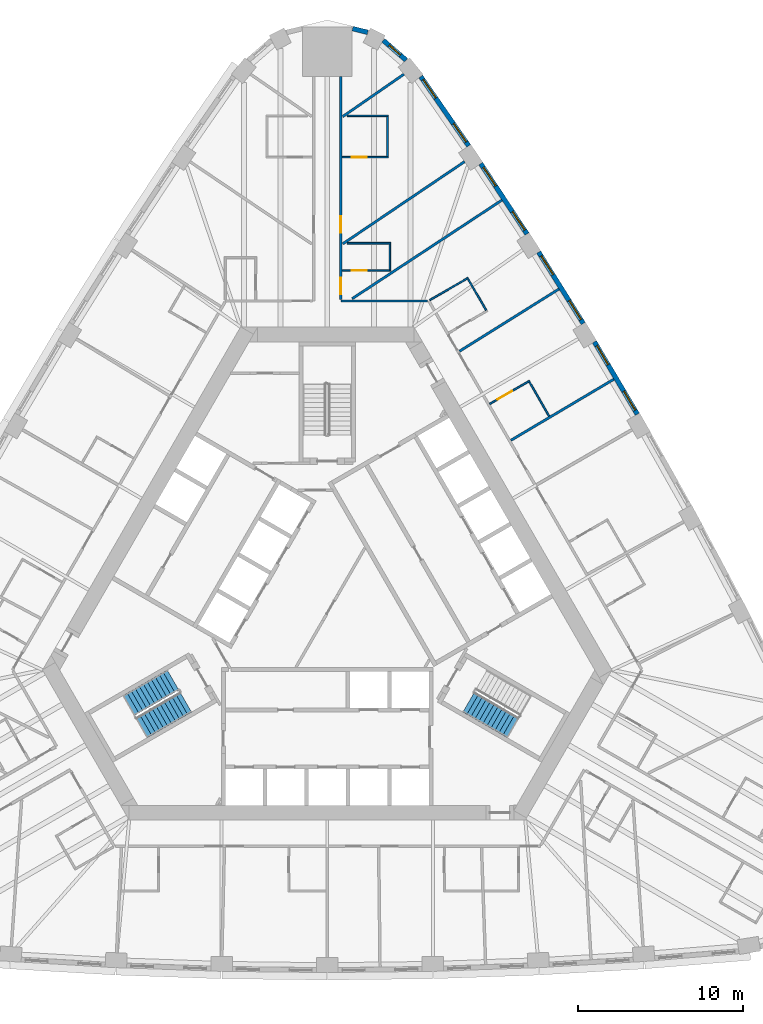
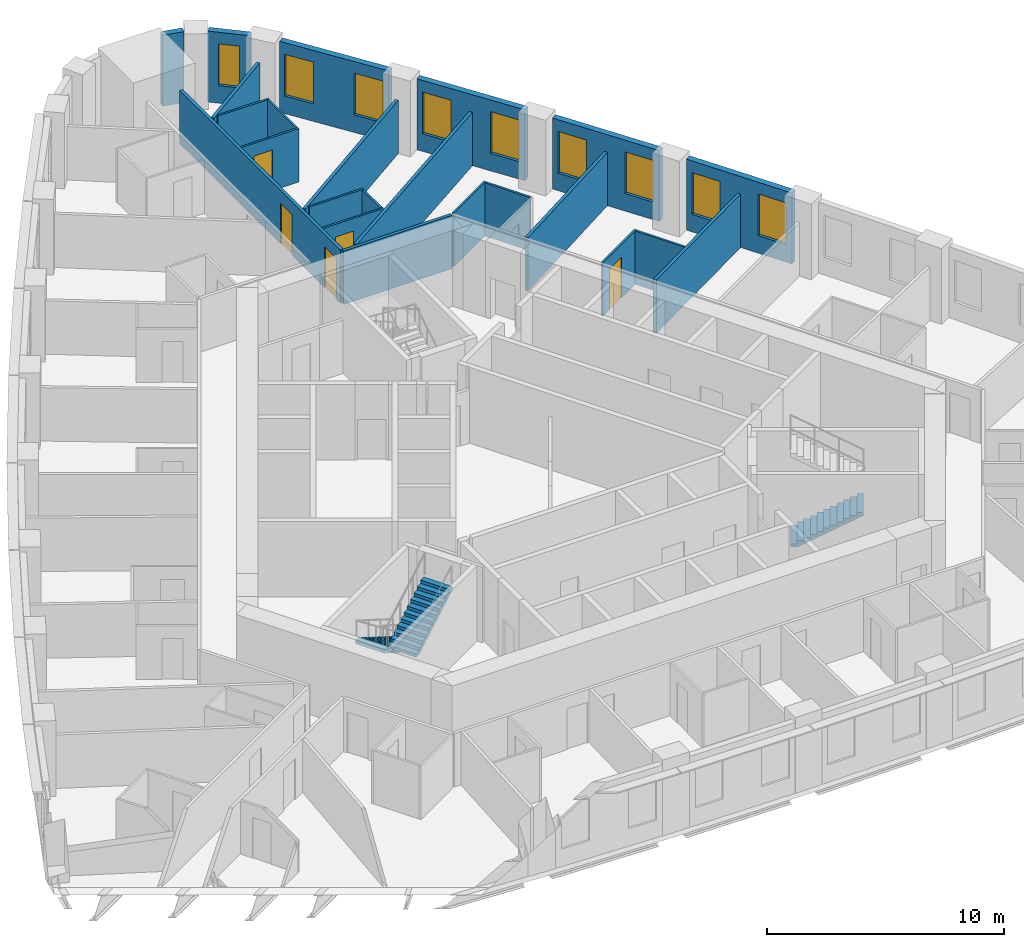
# One storey, part 11 of 13: 23 walls, 9 windows, 5 doors, 3 stair flights, 14 openings, 2 elements without a shape of their own.
"""IFC4 building model written with IfcOpenShell, lengths in metres."""

from ifc_helpers import new_model, si_unit, direction, frame, frame_2d, origin, place, context, subcontext, project, spatial, polyline, rectangle, outline, extrude, material, layer, layer_set, type_object, element, fill, aggregate, save


model = new_model("IFC4")

# Units and contexts
model_context = context("Model", 3, precision=1e-05, world=origin(), true_north=direction((0.0, 1.0)))
body_context = subcontext(model_context, "Body", "Model", "MODEL_VIEW")
ifc_project = project(units=[si_unit("LENGTHUNIT", "METRE"), si_unit("AREAUNIT", "SQUARE_METRE"), si_unit("VOLUMEUNIT", "CUBIC_METRE"), si_unit("PLANEANGLEUNIT", "RADIAN"), si_unit("MASSUNIT", "GRAM", prefix="KILO")], contexts=[model_context])

# Site, building, storey
site_placement = place(None, origin())
site = spatial("IfcSite", under=ifc_project, at=site_placement, CompositionType="ELEMENT")
building_placement = place(site_placement, origin())
building = spatial("IfcBuilding", under=site, at=building_placement, Name="Mestral Congress Tower", CompositionType="ELEMENT")
storey_placement = place(building_placement, frame((0.0, 0.0, 87.60009765625)))
storey = spatial("IfcBuildingStorey", under=building, at=storey_placement, Name="L20", CompositionType="ELEMENT", Elevation=87.60009765625)

# Wall, openings, windows
ifc_material_1 = material(Name="Precast concrete C40/50 with limestone facing", Category="masonry")
ifc_layer_1 = layer(ifc_material_1, 0.2900390625)
ifc_layer_set_1 = layer_set([ifc_layer_1], Name="Precast concrete C40/50 with limestone facing")
wall_type_1 = type_object("IfcWallType", Name="Facade stone wall 290", PredefinedType="SOLIDWALL", material=ifc_layer_set_1)
wall_1_placement = place(storey_placement, frame((18.8046875, 11.611083984375, 0.0), z_axis=(0.0, 0.0, 1.0), x_axis=(-0.510054281659, 0.860142214847, 0.0)))
wall_1 = element("IfcWall", 1, at=wall_1_placement, inside=storey, type_object=wall_type_1, Name="Facade wall F1-04", PredefinedType="SOLIDWALL", context=body_context, shape_type="SweptSolid", body=[
    extrude(rectangle(XDim=5.1005859375, YDim=0.2900390625, at=frame_2d((2.55029296875, 0.0))), origin(), (0.0, 0.0, 1.0), 3.64990234375),
])
opening_1_placement = place(wall_1_placement, frame((0.272705078125, 0.0, 0.89990234375)))
opening_1 = element("IfcOpeningElement", 2, at=opening_1_placement, cuts=wall_1, Name="Opening W2", PredefinedType="OPENING", context=body_context, shape_type="SweptSolid", body=[
    extrude(rectangle(XDim=1.35009765625, YDim=2.14990234375, at=frame_2d((0.675048828125, 1.074951171875))), frame((0.0, 0.155029296875, 0.0), z_axis=(0.0, -1.0, 0.0), x_axis=(1.0, 0.0, 0.0)), (0.0, 0.0, 1.0), 0.31005859375),
])
opening_2_placement = place(wall_1_placement, frame((3.477783203125, 0.0, 0.89990234375)))
opening_2 = element("IfcOpeningElement", 3, at=opening_2_placement, cuts=wall_1, Name="Opening W2", PredefinedType="OPENING", context=body_context, shape_type="SweptSolid", body=[
    extrude(rectangle(XDim=1.35009765625, YDim=2.14990234375, at=frame_2d((0.675048828125, 1.074951171875))), frame((0.0, 0.155029296875, 0.0), z_axis=(0.0, -1.0, 0.0), x_axis=(1.0, 0.0, 0.0)), (0.0, 0.0, 1.0), 0.31005859375),
])
ifc_material_2 = material(Name="Clear low-emissivity double glazing", Category="glass")
window_type_1 = type_object("IfcWindowType", Name="Facade punched window 1350 x 2150 sill 900", PartitioningType="DOUBLE_PANEL_VERTICAL", PredefinedType="WINDOW", material=ifc_material_2)
window_1_placement = place(opening_1_placement, origin())
window_1 = element("IfcWindow", 4, at=window_1_placement, inside=storey, type_object=window_type_1, Name="Window F1-04a", OverallHeight=2.14990234375, OverallWidth=1.35009765625, PartitioningType="DOUBLE_PANEL_VERTICAL", PredefinedType="WINDOW", context=body_context, shape_type="SweptSolid", body=[
    extrude(rectangle(XDim=1.35009765625, YDim=2.14990234375, at=frame_2d((0.675048828125, 1.074951171875))), frame((0.0, 0.01513671875, 0.0), z_axis=(0.0, -1.0, 0.0), x_axis=(1.0, 0.0, 0.0)), (0.0, 0.0, 1.0), 0.06005859375),
])
fill(opening_1, window_1)
window_2_placement = place(opening_2_placement, origin())
window_2 = element("IfcWindow", 5, at=window_2_placement, inside=storey, type_object=window_type_1, Name="Window F1-04b", OverallHeight=2.14990234375, OverallWidth=1.35009765625, PartitioningType="DOUBLE_PANEL_VERTICAL", PredefinedType="WINDOW", context=body_context, shape_type="SweptSolid", body=[
    extrude(rectangle(XDim=1.35009765625, YDim=2.14990234375, at=frame_2d((0.675048828125, 1.074951171875))), frame((0.0, 0.01513671875, 0.0), z_axis=(0.0, -1.0, 0.0), x_axis=(1.0, 0.0, 0.0)), (0.0, 0.0, 1.0), 0.06005859375),
])
fill(opening_2, window_2)

wall_2_placement = place(storey_placement, frame((15.523681640625, 17.114013671875, 0.0), z_axis=(0.0, 0.0, 1.0), x_axis=(-0.530072082134, 0.847952585787, 0.0)))
wall_2 = element("IfcWall", 6, at=wall_2_placement, inside=storey, type_object=wall_type_1, Name="Facade wall F1-05", PredefinedType="SOLIDWALL", context=body_context, shape_type="SweptSolid", body=[
    extrude(rectangle(XDim=5.100341796875, YDim=0.2900390625, at=frame_2d((2.55029296875, 0.0))), origin(), (0.0, 0.0, 1.0), 3.64990234375),
])
opening_3_placement = place(wall_2_placement, frame((0.272705078125, 0.0, 0.89990234375)))
opening_3 = element("IfcOpeningElement", 7, at=opening_3_placement, cuts=wall_2, Name="Opening W2", PredefinedType="OPENING", context=body_context, shape_type="SweptSolid", body=[
    extrude(rectangle(XDim=1.35009765625, YDim=2.14990234375, at=frame_2d((0.675048828125, 1.074951171875))), frame((0.0, 0.155029296875, 0.0), z_axis=(0.0, -1.0, 0.0), x_axis=(1.0, 0.0, 0.0)), (0.0, 0.0, 1.0), 0.31005859375),
])
opening_4_placement = place(wall_2_placement, frame((3.477783203125, 0.0, 0.89990234375)))
opening_4 = element("IfcOpeningElement", 8, at=opening_4_placement, cuts=wall_2, Name="Opening W2", PredefinedType="OPENING", context=body_context, shape_type="SweptSolid", body=[
    extrude(rectangle(XDim=1.35009765625, YDim=2.14990234375, at=frame_2d((0.675048828125, 1.074951171875))), frame((0.0, 0.155029296875, 0.0), z_axis=(0.0, -1.0, 0.0), x_axis=(1.0, 0.0, 0.0)), (0.0, 0.0, 1.0), 0.31005859375),
])
window_3_placement = place(opening_3_placement, origin())
window_3 = element("IfcWindow", 9, at=window_3_placement, inside=storey, type_object=window_type_1, Name="Window F1-05a", OverallHeight=2.14990234375, OverallWidth=1.35009765625, PartitioningType="DOUBLE_PANEL_VERTICAL", PredefinedType="WINDOW", context=body_context, shape_type="SweptSolid", body=[
    extrude(rectangle(XDim=1.35009765625, YDim=2.14990234375, at=frame_2d((0.675048828125, 1.074951171875))), frame((0.0, 0.01513671875, 0.0), z_axis=(0.0, -1.0, 0.0), x_axis=(1.0, 0.0, 0.0)), (0.0, 0.0, 1.0), 0.06005859375),
])
fill(opening_3, window_3)
window_4_placement = place(opening_4_placement, origin())
window_4 = element("IfcWindow", 10, at=window_4_placement, inside=storey, type_object=window_type_1, Name="Window F1-05b", OverallHeight=2.14990234375, OverallWidth=1.35009765625, PartitioningType="DOUBLE_PANEL_VERTICAL", PredefinedType="WINDOW", context=body_context, shape_type="SweptSolid", body=[
    extrude(rectangle(XDim=1.35009765625, YDim=2.14990234375, at=frame_2d((0.675048828125, 1.074951171875))), frame((0.0, 0.01513671875, 0.0), z_axis=(0.0, -1.0, 0.0), x_axis=(1.0, 0.0, 0.0)), (0.0, 0.0, 1.0), 0.06005859375),
])
fill(opening_4, window_4)

wall_3_placement = place(storey_placement, frame((12.114501953125, 22.538818359375, 0.0), z_axis=(0.0, 0.0, 1.0), x_axis=(-0.549741341923, 0.835334937005, 0.0)))
wall_3 = element("IfcWall", 11, at=wall_3_placement, inside=storey, type_object=wall_type_1, Name="Facade wall F1-06", PredefinedType="SOLIDWALL", context=body_context, shape_type="SweptSolid", body=[
    extrude(rectangle(XDim=5.10009765625, YDim=0.2900390625, at=frame_2d((2.550048828125, 0.0))), origin(), (0.0, 0.0, 1.0), 3.64990234375),
])
opening_5_placement = place(wall_3_placement, frame((0.272705078125, 0.0, 0.89990234375)))
opening_5 = element("IfcOpeningElement", 12, at=opening_5_placement, cuts=wall_3, Name="Opening W2", PredefinedType="OPENING", context=body_context, shape_type="SweptSolid", body=[
    extrude(rectangle(XDim=1.35009765625, YDim=2.14990234375, at=frame_2d((0.675048828125, 1.074951171875))), frame((0.0, 0.155029296875, 0.0), z_axis=(0.0, -1.0, 0.0), x_axis=(1.0, 0.0, 0.0)), (0.0, 0.0, 1.0), 0.31005859375),
])
opening_6_placement = place(wall_3_placement, frame((3.477783203125, 0.0, 0.89990234375)))
opening_6 = element("IfcOpeningElement", 13, at=opening_6_placement, cuts=wall_3, Name="Opening W2", PredefinedType="OPENING", context=body_context, shape_type="SweptSolid", body=[
    extrude(rectangle(XDim=1.35009765625, YDim=2.14990234375, at=frame_2d((0.675048828125, 1.074951171875))), frame((0.0, 0.155029296875, 0.0), z_axis=(0.0, -1.0, 0.0), x_axis=(1.0, 0.0, 0.0)), (0.0, 0.0, 1.0), 0.31005859375),
])
window_5_placement = place(opening_5_placement, origin())
window_5 = element("IfcWindow", 14, at=window_5_placement, inside=storey, type_object=window_type_1, Name="Window F1-06a", OverallHeight=2.14990234375, OverallWidth=1.35009765625, PartitioningType="DOUBLE_PANEL_VERTICAL", PredefinedType="WINDOW", context=body_context, shape_type="SweptSolid", body=[
    extrude(rectangle(XDim=1.35009765625, YDim=2.14990234375, at=frame_2d((0.675048828125, 1.074951171875))), frame((0.0, 0.01513671875, 0.0), z_axis=(0.0, -1.0, 0.0), x_axis=(1.0, 0.0, 0.0)), (0.0, 0.0, 1.0), 0.06005859375),
])
fill(opening_5, window_5)
window_6_placement = place(opening_6_placement, origin())
window_6 = element("IfcWindow", 15, at=window_6_placement, inside=storey, type_object=window_type_1, Name="Window F1-06b", OverallHeight=2.14990234375, OverallWidth=1.35009765625, PartitioningType="DOUBLE_PANEL_VERTICAL", PredefinedType="WINDOW", context=body_context, shape_type="SweptSolid", body=[
    extrude(rectangle(XDim=1.35009765625, YDim=2.14990234375, at=frame_2d((0.675048828125, 1.074951171875))), frame((0.0, 0.01513671875, 0.0), z_axis=(0.0, -1.0, 0.0), x_axis=(1.0, 0.0, 0.0)), (0.0, 0.0, 1.0), 0.06005859375),
])
fill(opening_6, window_6)

wall_4_placement = place(storey_placement, frame((8.57958984375, 27.882080078125, 0.0), z_axis=(0.0, 0.0, 1.0), x_axis=(-0.569113019126, 0.822259309136, 0.0)))
wall_4 = element("IfcWall", 16, at=wall_4_placement, inside=storey, type_object=wall_type_1, Name="Facade wall F1-07", PredefinedType="SOLIDWALL", context=body_context, shape_type="SweptSolid", body=[
    extrude(rectangle(XDim=5.106689453125, YDim=0.2900390625, at=frame_2d((2.55322265625, 0.0))), origin(), (0.0, 0.0, 1.0), 3.64990234375),
])
opening_7_placement = place(wall_4_placement, frame((0.285400390625, 0.0, 0.89990234375)))
opening_7 = element("IfcOpeningElement", 17, at=opening_7_placement, cuts=wall_4, Name="Opening W2", PredefinedType="OPENING", context=body_context, shape_type="SweptSolid", body=[
    extrude(rectangle(XDim=1.35009765625, YDim=2.14990234375, at=frame_2d((0.675048828125, 1.074951171875))), frame((0.0, 0.155029296875, 0.0), z_axis=(0.0, -1.0, 0.0), x_axis=(1.0, 0.0, 0.0)), (0.0, 0.0, 1.0), 0.31005859375),
])
opening_8_placement = place(wall_4_placement, frame((3.516357421875, 0.0, 0.89990234375)))
opening_8 = element("IfcOpeningElement", 18, at=opening_8_placement, cuts=wall_4, Name="Opening W2", PredefinedType="OPENING", context=body_context, shape_type="SweptSolid", body=[
    extrude(rectangle(XDim=1.35009765625, YDim=2.14990234375, at=frame_2d((0.675048828125, 1.074951171875))), frame((0.0, 0.155029296875, 0.0), z_axis=(0.0, -1.0, 0.0), x_axis=(1.0, 0.0, 0.0)), (0.0, 0.0, 1.0), 0.31005859375),
])
window_7_placement = place(opening_7_placement, origin())
window_7 = element("IfcWindow", 19, at=window_7_placement, inside=storey, type_object=window_type_1, Name="Window F1-07a", OverallHeight=2.14990234375, OverallWidth=1.35009765625, PartitioningType="DOUBLE_PANEL_VERTICAL", PredefinedType="WINDOW", context=body_context, shape_type="SweptSolid", body=[
    extrude(rectangle(XDim=1.35009765625, YDim=2.14990234375, at=frame_2d((0.675048828125, 1.074951171875))), frame((0.0, 0.01513671875, 0.0), z_axis=(0.0, -1.0, 0.0), x_axis=(1.0, 0.0, 0.0)), (0.0, 0.0, 1.0), 0.06005859375),
])
fill(opening_7, window_7)
window_8_placement = place(opening_8_placement, origin())
window_8 = element("IfcWindow", 20, at=window_8_placement, inside=storey, type_object=window_type_1, Name="Window F1-07b", OverallHeight=2.14990234375, OverallWidth=1.35009765625, PartitioningType="DOUBLE_PANEL_VERTICAL", PredefinedType="WINDOW", context=body_context, shape_type="SweptSolid", body=[
    extrude(rectangle(XDim=1.35009765625, YDim=2.14990234375, at=frame_2d((0.675048828125, 1.074951171875))), frame((0.0, 0.01513671875, 0.0), z_axis=(0.0, -1.0, 0.0), x_axis=(1.0, 0.0, 0.0)), (0.0, 0.0, 1.0), 0.06005859375),
])
fill(opening_8, window_8)

# Wall, opening, window
wall_5_placement = place(storey_placement, frame((4.778076171875, 33.08203125, 0.0), z_axis=(0.0, 0.0, 1.0), x_axis=(-0.754882764627, 0.655859749999, 0.0)))
wall_5 = element("IfcWall", 21, at=wall_5_placement, inside=storey, type_object=wall_type_1, Name="Facade wall K1-0", PredefinedType="SOLIDWALL", context=body_context, shape_type="SweptSolid", body=[
    extrude(rectangle(XDim=1.819580078125, YDim=0.2900390625, at=frame_2d((0.90966796875, 0.0))), origin(), (0.0, 0.0, 1.0), 3.64990234375),
])
opening_9_placement = place(wall_5_placement, frame((0.459716796875, 0.0, 0.89990234375)))
opening_9 = element("IfcOpeningElement", 22, at=opening_9_placement, cuts=wall_5, Name="Opening W3", PredefinedType="OPENING", context=body_context, shape_type="SweptSolid", body=[
    extrude(rectangle(XDim=0.89990234375, YDim=2.14990234375, at=frame_2d((0.449951171875, 1.074951171875))), frame((0.0, 0.155029296875, 0.0), z_axis=(0.0, -1.0, 0.0), x_axis=(1.0, 0.0, 0.0)), (0.0, 0.0, 1.0), 0.31005859375),
])
window_type_2 = type_object("IfcWindowType", Name="Facade punched window 900 x 2150 sill 900", PartitioningType="SINGLE_PANEL", PredefinedType="WINDOW", material=ifc_material_2)
window_9_placement = place(opening_9_placement, origin())
window_9 = element("IfcWindow", 23, at=window_9_placement, inside=storey, type_object=window_type_2, Name="Window K1-0", OverallHeight=2.14990234375, OverallWidth=0.89990234375, PartitioningType="SINGLE_PANEL", PredefinedType="WINDOW", context=body_context, shape_type="SweptSolid", body=[
    extrude(rectangle(XDim=0.89990234375, YDim=2.14990234375, at=frame_2d((0.449951171875, 1.074951171875))), frame((0.0, 0.01513671875, 0.0), z_axis=(0.0, -1.0, 0.0), x_axis=(1.0, 0.0, 0.0)), (0.0, 0.0, 1.0), 0.06005859375),
])
fill(opening_9, window_9)

# Wall
wall_6_placement = place(storey_placement, frame((2.455322265625, 34.765625, 0.0), z_axis=(0.0, 0.0, 1.0), x_axis=(-0.971713991574, 0.236160789674, 0.0)))
element("IfcWall", 24, at=wall_6_placement, inside=storey, type_object=wall_type_1, Name="Facade wall K1-1", PredefinedType="SOLIDWALL", context=body_context, shape_type="SweptSolid", body=[
    extrude(rectangle(XDim=0.947021484375, YDim=0.2900390625, at=frame_2d((0.4736328125, 0.0))), origin(), (0.0, 0.0, 1.0), 3.64990234375),
])

# Wall, opening, door
ifc_material_3 = material(Name="Gypsum board partition on metal studs with mineral wool", Category="composite")
ifc_layer_2 = layer(ifc_material_3, 0.10009765625)
ifc_layer_set_2 = layer_set([ifc_layer_2], Name="Gypsum board partition on metal studs with mineral wool")
wall_type_2 = type_object("IfcWallType", Name="Hotel partition wall 100", PredefinedType="PARTITIONING", material=ifc_layer_set_2)
wall_7_placement = place(storey_placement, frame((12.277099609375, 13.635498046875, 0.0), z_axis=(0.0, 0.0, 1.0), x_axis=(-0.866034573852, -0.49998411664, 0.0)))
wall_7 = element("IfcWall", 25, at=wall_7_placement, inside=storey, type_object=wall_type_2, Name="L20-h-pod15a", PredefinedType="PARTITIONING", context=body_context, shape_type="SweptSolid", body=[
    extrude(rectangle(XDim=2.7998046875, YDim=0.10009765625, at=frame_2d((1.39990234375, 0.0))), origin(), (0.0, 0.0, 1.0), 2.75),
])
opening_10_placement = place(wall_7_placement, frame((1.25, 0.0, 0.0)))
opening_10 = element("IfcOpeningElement", 26, at=opening_10_placement, cuts=wall_7, Name="Opening H06-028", PredefinedType="OPENING", context=body_context, shape_type="SweptSolid", body=[
    extrude(rectangle(XDim=1.0, YDim=2.10009765625, at=frame_2d((0.5, 1.050048828125))), frame((0.0, 0.06005859375, 0.0), z_axis=(0.0, -1.0, 0.0), x_axis=(1.0, 0.0, 0.0)), (0.0, 0.0, 1.0), 0.1201171875),
])
ifc_material_4 = material(Name="Timber veneer door leaf in timber frame", Category="wood")
door_type_1 = type_object("IfcDoorType", Name="Accessible bathroom door 1000", OperationType="SINGLE_SWING_LEFT", PredefinedType="DOOR", material=ifc_material_4)
door_1_placement = place(opening_10_placement, origin())
door_1 = element("IfcDoor", 27, at=door_1_placement, inside=storey, type_object=door_type_1, Name="L20-h-d028", OperationType="SINGLE_SWING_RIGHT", OverallHeight=2.10009765625, OverallWidth=1.0, PredefinedType="DOOR", context=body_context, shape_type="SweptSolid", body=[
    extrude(rectangle(XDim=1.0, YDim=2.10009765625, at=frame_2d((0.5, 1.050048828125))), frame((0.0, 0.02490234375, 0.0), z_axis=(0.0, -1.0, 0.0), x_axis=(1.0, 0.0, 0.0)), (0.0, 0.0, 1.0), 0.050048828125),
])
fill(opening_10, door_1)

# Walls
wall_8_placement = place(storey_placement, frame((12.2587890625, 13.567138671875, 0.0), z_axis=(0.0, 0.0, 1.0), x_axis=(0.500017192868, -0.86601547725, 0.0)))
element("IfcWall", 28, at=wall_8_placement, inside=storey, type_object=wall_type_2, Name="L20-h-pod15b", PredefinedType="PARTITIONING", context=body_context, shape_type="SweptSolid", body=[
    extrude(rectangle(XDim=2.39013671875, YDim=0.10009765625, at=frame_2d((1.195068359375, 0.0))), origin(), (0.0, 0.0, 1.0), 2.75),
])
wall_9_placement = place(storey_placement, frame((9.63818359375, 17.90625, 0.0), z_axis=(0.0, 0.0, 1.0), x_axis=(-0.50002983664, 0.866008176907, 0.0)))
element("IfcWall", 29, at=wall_9_placement, inside=storey, type_object=wall_type_2, Name="L20-h-pod16b", PredefinedType="PARTITIONING", context=body_context, shape_type="SweptSolid", body=[
    extrude(rectangle(XDim=2.199951171875, YDim=0.10009765625, at=frame_2d((1.10009765625, 0.0))), origin(), (0.0, 0.0, 1.0), 2.75),
])
wall_10_placement = place(storey_placement, frame((6.21826171875, 18.52978515625, 0.0), z_axis=(0.0, 0.0, 1.0), x_axis=(0.86599734893, 0.500048589285, 0.0)))
element("IfcWall", 30, at=wall_10_placement, inside=storey, type_object=wall_type_2, Name="L20-h-pod16c", PredefinedType="PARTITIONING", context=body_context, shape_type="SweptSolid", body=[
    extrude(rectangle(XDim=2.699951171875, YDim=0.10009765625, at=frame_2d((1.35009765625, 0.0))), origin(), (0.0, 0.0, 1.0), 2.75),
])

# Wall, opening, door
wall_11_placement = place(storey_placement, frame((0.89990234375, 20.32861328125, 0.0), z_axis=(0.0, 0.0, 1.0), x_axis=(1.0, 0.0, 0.0)))
wall_11 = element("IfcWall", 31, at=wall_11_placement, inside=storey, type_object=wall_type_2, Name="L20-h-pod17a", PredefinedType="PARTITIONING", context=body_context, shape_type="SweptSolid", body=[
    extrude(rectangle(XDim=2.9501953125, YDim=0.10009765625, at=frame_2d((1.47509765625, 0.0))), origin(), (0.0, 0.0, 1.0), 2.75),
])
opening_11_placement = place(wall_11_placement, frame((0.60009765625, 0.0, 0.0)))
opening_11 = element("IfcOpeningElement", 32, at=opening_11_placement, cuts=wall_11, Name="Opening H06-032", PredefinedType="OPENING", context=body_context, shape_type="SweptSolid", body=[
    extrude(rectangle(XDim=0.89990234375, YDim=2.10009765625, at=frame_2d((0.449951171875, 1.050048828125))), frame((0.0, 0.06005859375, 0.0), z_axis=(0.0, -1.0, 0.0), x_axis=(1.0, 0.0, 0.0)), (0.0, 0.0, 1.0), 0.1201171875),
])
door_type_2 = type_object("IfcDoorType", Name="Bathroom door 900", OperationType="SINGLE_SWING_LEFT", PredefinedType="DOOR", material=ifc_material_4)
door_2_placement = place(opening_11_placement, origin())
door_2 = element("IfcDoor", 33, at=door_2_placement, inside=storey, type_object=door_type_2, Name="L20-h-d032", OperationType="SINGLE_SWING_LEFT", OverallHeight=2.10009765625, OverallWidth=0.89990234375, PredefinedType="DOOR", context=body_context, shape_type="SweptSolid", body=[
    extrude(rectangle(XDim=0.89990234375, YDim=2.10009765625, at=frame_2d((0.449951171875, 1.050048828125))), frame((0.0, 0.02490234375, 0.0), z_axis=(0.0, -1.0, 0.0), x_axis=(1.0, 0.0, 0.0)), (0.0, 0.0, 1.0), 0.050048828125),
])
fill(opening_11, door_2)

# Walls
wall_12_placement = place(storey_placement, frame((3.800048828125, 20.37841796875, 0.0), z_axis=(0.0, 0.0, 1.0), x_axis=(0.0, 1.0, 0.0)))
element("IfcWall", 34, at=wall_12_placement, inside=storey, type_object=wall_type_2, Name="L20-h-pod17b", PredefinedType="PARTITIONING", context=body_context, shape_type="SweptSolid", body=[
    extrude(rectangle(XDim=1.550048828125, YDim=0.10009765625, at=frame_2d((0.77490234375, 0.0))), origin(), (0.0, 0.0, 1.0), 2.75),
])
wall_13_placement = place(storey_placement, frame((1.2099609375, 21.978515625, 0.0), z_axis=(0.0, 0.0, 1.0), x_axis=(1.0, 0.0, 0.0)))
element("IfcWall", 35, at=wall_13_placement, inside=storey, type_object=wall_type_2, Name="L20-h-pod17c", PredefinedType="PARTITIONING", context=body_context, shape_type="SweptSolid", body=[
    extrude(rectangle(XDim=2.64013671875, YDim=0.10009765625, at=frame_2d((1.320068359375, 0.0))), origin(), (0.0, 0.0, 1.0), 2.75),
])

# Wall, opening, door
wall_14_placement = place(storey_placement, frame((0.89990234375, 27.197998046875, 0.0), z_axis=(0.0, 0.0, 1.0), x_axis=(1.0, 0.0, 0.0)))
wall_14 = element("IfcWall", 36, at=wall_14_placement, inside=storey, type_object=wall_type_2, Name="L20-h-pod18a", PredefinedType="PARTITIONING", context=body_context, shape_type="SweptSolid", body=[
    extrude(rectangle(XDim=2.800048828125, YDim=0.10009765625, at=frame_2d((1.39990234375, 0.0))), origin(), (0.0, 0.0, 1.0), 2.75),
])
opening_12_placement = place(wall_14_placement, frame((0.60009765625, 0.0, 0.0)))
opening_12 = element("IfcOpeningElement", 37, at=opening_12_placement, cuts=wall_14, Name="Opening H06-034", PredefinedType="OPENING", context=body_context, shape_type="SweptSolid", body=[
    extrude(rectangle(XDim=0.89990234375, YDim=2.10009765625, at=frame_2d((0.449951171875, 1.050048828125))), frame((0.0, 0.06005859375, 0.0), z_axis=(0.0, -1.0, 0.0), x_axis=(1.0, 0.0, 0.0)), (0.0, 0.0, 1.0), 0.1201171875),
])
door_3_placement = place(opening_12_placement, origin())
door_3 = element("IfcDoor", 38, at=door_3_placement, inside=storey, type_object=door_type_2, Name="L20-h-d034", OperationType="SINGLE_SWING_RIGHT", OverallHeight=2.10009765625, OverallWidth=0.89990234375, PredefinedType="DOOR", context=body_context, shape_type="SweptSolid", body=[
    extrude(rectangle(XDim=0.89990234375, YDim=2.10009765625, at=frame_2d((0.449951171875, 1.050048828125))), frame((0.0, 0.02490234375, 0.0), z_axis=(0.0, -1.0, 0.0), x_axis=(1.0, 0.0, 0.0)), (0.0, 0.0, 1.0), 0.050048828125),
])
fill(opening_12, door_3)

# Walls
wall_15_placement = place(storey_placement, frame((3.64990234375, 27.248046875, 0.0), z_axis=(0.0, 0.0, 1.0), x_axis=(0.0, 1.0, 0.0)))
element("IfcWall", 39, at=wall_15_placement, inside=storey, type_object=wall_type_2, Name="L20-h-pod18b", PredefinedType="PARTITIONING", context=body_context, shape_type="SweptSolid", body=[
    extrude(rectangle(XDim=2.39990234375, YDim=0.10009765625, at=frame_2d((1.199951171875, 0.0))), origin(), (0.0, 0.0, 1.0), 2.75),
])
wall_16_placement = place(storey_placement, frame((1.199951171875, 29.697998046875, 0.0), z_axis=(0.0, 0.0, 1.0), x_axis=(1.0, 0.0, 0.0)))
element("IfcWall", 40, at=wall_16_placement, inside=storey, type_object=wall_type_2, Name="L20-h-pod18c", PredefinedType="PARTITIONING", context=body_context, shape_type="SweptSolid", body=[
    extrude(rectangle(XDim=2.5, YDim=0.10009765625, at=frame_2d((1.25, 0.0))), origin(), (0.0, 0.0, 1.0), 2.75),
])
ifc_layer_3 = layer(ifc_material_3, 0.14990234375)
ifc_layer_set_3 = layer_set([ifc_layer_3], Name="Gypsum board partition on metal studs with mineral wool")
wall_type_3 = type_object("IfcWallType", Name="Hotel partition wall 150", PredefinedType="PARTITIONING", material=ifc_layer_set_3)
wall_17_placement = place(storey_placement, frame((0.824951171875, 18.47509765625, 0.0), z_axis=(0.0, 0.0, 1.0), x_axis=(1.0, 0.0, 0.0)))
element("IfcWall", 41, at=wall_17_placement, inside=storey, type_object=wall_type_3, Name="L20-h-cw04", PredefinedType="PARTITIONING", context=body_context, shape_type="SweptSolid", body=[
    extrude(rectangle(XDim=5.268310546875, YDim=0.14990234375, at=frame_2d((2.63427734375, 0.0))), origin(), (0.0, 0.0, 1.0), 2.75),
])

# Wall, openings, doors
wall_18_placement = place(storey_placement, frame((0.824951171875, 32.098388671875, 0.0), z_axis=(0.0, 0.0, 1.0), x_axis=(0.0, -1.0, 0.0)))
wall_18 = element("IfcWall", 42, at=wall_18_placement, inside=storey, type_object=wall_type_3, Name="L20-h-cw05", PredefinedType="PARTITIONING", context=body_context, shape_type="SweptSolid", body=[
    extrude(rectangle(XDim=13.54345703125, YDim=0.14990234375, at=frame_2d((6.771728515625, 0.0))), origin(), (0.0, 0.0, 1.0), 2.75),
])
opening_13_placement = place(wall_18_placement, frame((12.21337890625, 0.0, 0.0)))
opening_13 = element("IfcOpeningElement", 43, at=opening_13_placement, cuts=wall_18, Name="Opening H06-031", PredefinedType="OPENING", context=body_context, shape_type="SweptSolid", body=[
    extrude(rectangle(XDim=1.0, YDim=2.10009765625, at=frame_2d((0.5, 1.050048828125))), frame((0.0, 0.0849609375, 0.0), z_axis=(0.0, -1.0, 0.0), x_axis=(1.0, 0.0, 0.0)), (0.0, 0.0, 1.0), 0.169921875),
])
opening_14_placement = place(wall_18_placement, frame((8.490234375, 0.0, 0.0)))
opening_14 = element("IfcOpeningElement", 44, at=opening_14_placement, cuts=wall_18, Name="Opening H06-033", PredefinedType="OPENING", context=body_context, shape_type="SweptSolid", body=[
    extrude(rectangle(XDim=1.0, YDim=2.10009765625, at=frame_2d((0.5, 1.050048828125))), frame((0.0, 0.0849609375, 0.0), z_axis=(0.0, -1.0, 0.0), x_axis=(1.0, 0.0, 0.0)), (0.0, 0.0, 1.0), 0.169921875),
])
ifc_material_5 = material(Name="Timber veneer door leaf in metal frame", Category="wood")
door_type_3 = type_object("IfcDoorType", Name="Guest room entrance door 1000", OperationType="SINGLE_SWING_LEFT", PredefinedType="DOOR", material=ifc_material_5)
door_4_placement = place(opening_13_placement, origin())
door_4 = element("IfcDoor", 45, at=door_4_placement, inside=storey, type_object=door_type_3, Name="L20-h-d031", OperationType="SINGLE_SWING_RIGHT", OverallHeight=2.10009765625, OverallWidth=1.0, PredefinedType="DOOR", context=body_context, shape_type="SweptSolid", body=[
    extrude(rectangle(XDim=1.0, YDim=2.10009765625, at=frame_2d((0.5, 1.050048828125))), frame((0.0, 0.02490234375, 0.0), z_axis=(0.0, -1.0, 0.0), x_axis=(1.0, 0.0, 0.0)), (0.0, 0.0, 1.0), 0.050048828125),
])
fill(opening_13, door_4)
door_5_placement = place(opening_14_placement, origin())
door_5 = element("IfcDoor", 46, at=door_5_placement, inside=storey, type_object=door_type_3, Name="L20-h-d033", OperationType="SINGLE_SWING_RIGHT", OverallHeight=2.10009765625, OverallWidth=1.0, PredefinedType="DOOR", context=body_context, shape_type="SweptSolid", body=[
    extrude(rectangle(XDim=1.0, YDim=2.10009765625, at=frame_2d((0.5, 1.050048828125))), frame((0.0, 0.02490234375, 0.0), z_axis=(0.0, -1.0, 0.0), x_axis=(1.0, 0.0, 0.0)), (0.0, 0.0, 1.0), 0.050048828125),
])
fill(opening_14, door_5)

# Walls
wall_19_placement = place(storey_placement, frame((8.32568359375, 26.922607421875, 0.0), z_axis=(0.0, 0.0, 1.0), x_axis=(-0.828836601893, -0.5594907393, 0.0)))
element("IfcWall", 47, at=wall_19_placement, inside=storey, type_object=wall_type_3, Name="L20-h-pw16", PredefinedType="PARTITIONING", context=body_context, shape_type="SweptSolid", body=[
    extrude(rectangle(XDim=8.9091796875, YDim=0.14990234375, at=frame_2d((4.45458984375, 0.0))), origin(), (0.0, 0.0, 1.0), 2.75),
])
wall_20_placement = place(storey_placement, frame((10.591552734375, 24.589111328125, 0.0), z_axis=(0.0, 0.0, 1.0), x_axis=(-0.835337323748, -0.549737715236, 0.0)))
element("IfcWall", 48, at=wall_20_placement, inside=storey, type_object=wall_type_3, Name="L20-h-pw17", PredefinedType="PARTITIONING", context=body_context, shape_type="SweptSolid", body=[
    extrude(rectangle(XDim=10.875244140625, YDim=0.14990234375, at=frame_2d((5.4375, 0.0))), origin(), (0.0, 0.0, 1.0), 2.75),
])
wall_21_placement = place(storey_placement, frame((4.649169921875, 32.223388671875, 0.0), z_axis=(0.0, 0.0, 1.0), x_axis=(-0.822262349475, -0.569108626394, 0.0)))
element("IfcWall", 49, at=wall_21_placement, inside=storey, type_object=wall_type_3, Name="L20-h-pw19", PredefinedType="PARTITIONING", context=body_context, shape_type="SweptSolid", body=[
    extrude(rectangle(XDim=4.509521484375, YDim=0.14990234375, at=frame_2d((2.2548828125, 0.0))), origin(), (0.0, 0.0, 1.0), 2.75),
])
wall_22_placement = place(storey_placement, frame((14.048828125, 19.19970703125, 0.0), z_axis=(0.0, 0.0, 1.0), x_axis=(-0.847955867271, -0.530066832731, 0.0)))
element("IfcWall", 50, at=wall_22_placement, inside=storey, type_object=wall_type_3, Name="L20-h-pw20", PredefinedType="PARTITIONING", context=body_context, shape_type="SweptSolid", body=[
    extrude(rectangle(XDim=7.111083984375, YDim=0.14990234375, at=frame_2d((3.5556640625, 0.0))), origin(), (0.0, 0.0, 1.0), 2.75),
])
wall_23_placement = place(storey_placement, frame((17.379150390625, 13.730712890625, 0.0), z_axis=(0.0, 0.0, 1.0), x_axis=(-0.860132461691, -0.510070728768, 0.0)))
element("IfcWall", 51, at=wall_23_placement, inside=storey, type_object=wall_type_3, Name="L20-h-pw22", PredefinedType="PARTITIONING", context=body_context, shape_type="SweptSolid", body=[
    extrude(rectangle(XDim=7.256591796875, YDim=0.14990234375, at=frame_2d((3.62841796875, 0.0))), origin(), (0.0, 0.0, 1.0), 2.75),
])

# Stair, stair flight
ifc_material_6 = material(Name="Concrete C60/75", Category="concrete")
stair_type = type_object("IfcStairType", Name="Exit stair 1400", PredefinedType="HALF_TURN_STAIR", material=ifc_material_6)
placement = place(storey_placement, origin())
stair_1 = element("IfcStair", 52, at=placement, inside=storey, type_object=stair_type, Name="L20 ST1", PredefinedType="HALF_TURN_STAIR")
stair_flight_type = type_object("IfcStairFlightType", Name="Exit stair flight 1400", PredefinedType="STRAIGHT", material=ifc_material_6)
stair_flight_1_placement = place(storey_placement, frame((8.575927734375, -5.84619140625, 0.0), z_axis=(0.0, 0.0, 1.0), x_axis=(0.866025403784, -0.5, 0.0)))
stair_flight_1 = element("IfcStairFlight", 53, at=stair_flight_1_placement, type_object=stair_flight_type, Name="ST1 flight 1", NumberOfRisers=12, NumberOfTreads=11, PredefinedType="STRAIGHT", RiserHeight=0.1625, TreadLength=0.28, context=body_context, shape_type="SweptSolid", body=[
    extrude(outline(polyline([(0.0, 0.0), (0.0, 0.16259765625), (0.280029296875, 0.16259765625), (0.280029296875, 0.324951171875), (0.56005859375, 0.324951171875), (0.56005859375, 0.487548828125), (0.840087890625, 0.487548828125), (0.840087890625, 0.64990234375), (1.1201171875, 0.64990234375), (1.1201171875, 0.8125), (1.39990234375, 0.8125), (1.39990234375, 0.97509765625), (1.679931640625, 0.97509765625), (1.679931640625, 1.137451171875), (1.9599609375, 1.137451171875), (1.9599609375, 1.300048828125), (2.239990234375, 1.300048828125), (2.239990234375, 1.46240234375), (2.52001953125, 1.46240234375), (2.52001953125, 1.625), (2.800048828125, 1.625), (2.800048828125, 1.78759765625), (3.080078125, 1.78759765625), (3.080078125, 1.949951171875), (3.080078125, 1.6142578125), (0.298583984375, 0.0), (0.0, 0.0)])), frame((0.0, 0.699951171875, 0.0), z_axis=(0.0, -1.0, 0.0), x_axis=(1.0, 0.0, 0.0)), (0.0, 0.0, 1.0), 1.39990234375),
])
aggregate(stair_1, [stair_flight_1])

# Stair, stair flights
stair_2 = element("IfcStair", 54, at=placement, inside=storey, type_object=stair_type, Name="L20 ST3", PredefinedType="HALF_TURN_STAIR")
stair_flight_2_placement = place(storey_placement, frame((-9.350830078125, -4.50390625, 0.0), z_axis=(0.0, 0.0, 1.0), x_axis=(-0.866025403784, -0.5, 0.0)))
stair_flight_2 = element("IfcStairFlight", 55, at=stair_flight_2_placement, type_object=stair_flight_type, Name="ST3 flight 1", NumberOfRisers=12, NumberOfTreads=11, PredefinedType="STRAIGHT", RiserHeight=0.1625, TreadLength=0.28, context=body_context, shape_type="SweptSolid", body=[
    extrude(outline(polyline([(0.0, 0.0), (0.0, 0.16259765625), (0.280029296875, 0.16259765625), (0.280029296875, 0.324951171875), (0.56005859375, 0.324951171875), (0.56005859375, 0.487548828125), (0.840087890625, 0.487548828125), (0.840087890625, 0.64990234375), (1.1201171875, 0.64990234375), (1.1201171875, 0.8125), (1.39990234375, 0.8125), (1.39990234375, 0.97509765625), (1.679931640625, 0.97509765625), (1.679931640625, 1.137451171875), (1.9599609375, 1.137451171875), (1.9599609375, 1.300048828125), (2.239990234375, 1.300048828125), (2.239990234375, 1.46240234375), (2.52001953125, 1.46240234375), (2.52001953125, 1.625), (2.800048828125, 1.625), (2.800048828125, 1.78759765625), (3.080078125, 1.78759765625), (3.080078125, 1.949951171875), (3.080078125, 1.6142578125), (0.298583984375, 0.0), (0.0, 0.0)])), frame((0.0, 0.699951171875, 0.0), z_axis=(0.0, -1.0, 0.0), x_axis=(1.0, 0.0, 0.0)), (0.0, 0.0, 1.0), 1.39990234375),
])
stair_flight_3_placement = place(storey_placement, frame((-11.2431640625, -7.38623046875, 1.949951171875), z_axis=(0.0, 0.0, 1.0), x_axis=(0.866025403784, 0.5, 0.0)))
stair_flight_3 = element("IfcStairFlight", 56, at=stair_flight_3_placement, type_object=stair_flight_type, Name="ST3 flight 2", NumberOfRisers=12, NumberOfTreads=11, PredefinedType="STRAIGHT", RiserHeight=0.1625, TreadLength=0.28, context=body_context, shape_type="SweptSolid", body=[
    extrude(outline(polyline([(0.0, 0.0), (0.0, 0.16259765625), (0.280029296875, 0.16259765625), (0.280029296875, 0.324951171875), (0.56005859375, 0.324951171875), (0.56005859375, 0.487548828125), (0.840087890625, 0.487548828125), (0.840087890625, 0.64990234375), (1.1201171875, 0.64990234375), (1.1201171875, 0.8125), (1.39990234375, 0.8125), (1.39990234375, 0.97509765625), (1.679931640625, 0.97509765625), (1.679931640625, 1.137451171875), (1.9599609375, 1.137451171875), (1.9599609375, 1.300048828125), (2.239990234375, 1.300048828125), (2.239990234375, 1.46240234375), (2.52001953125, 1.46240234375), (2.52001953125, 1.625), (2.800048828125, 1.625), (2.800048828125, 1.78759765625), (3.080078125, 1.78759765625), (3.080078125, 1.949951171875), (3.080078125, 1.6142578125), (0.298583984375, 0.0), (0.0, 0.0)])), frame((0.0, 0.699951171875, 0.0), z_axis=(0.0, -1.0, 0.0), x_axis=(1.0, 0.0, 0.0)), (0.0, 0.0, 1.0), 1.39990234375),
])
aggregate(stair_2, [stair_flight_2, stair_flight_3])

save(model, "model.ifc")
